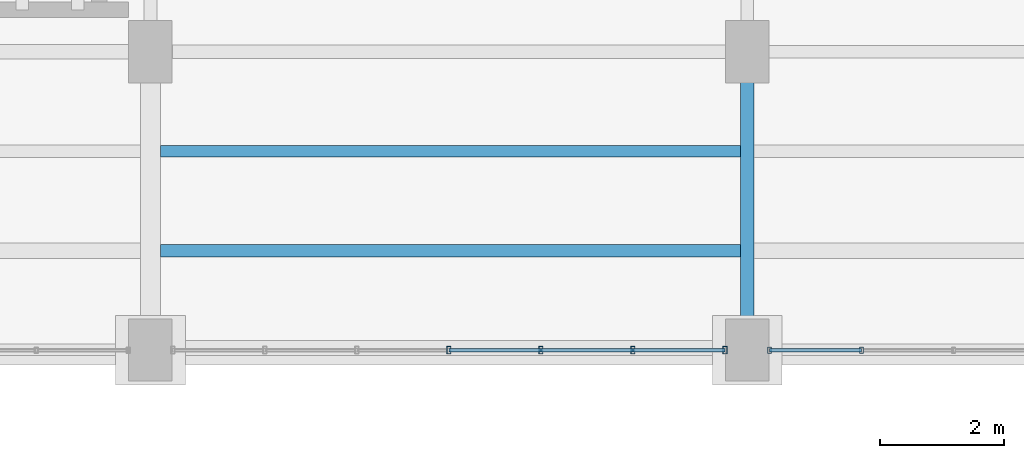
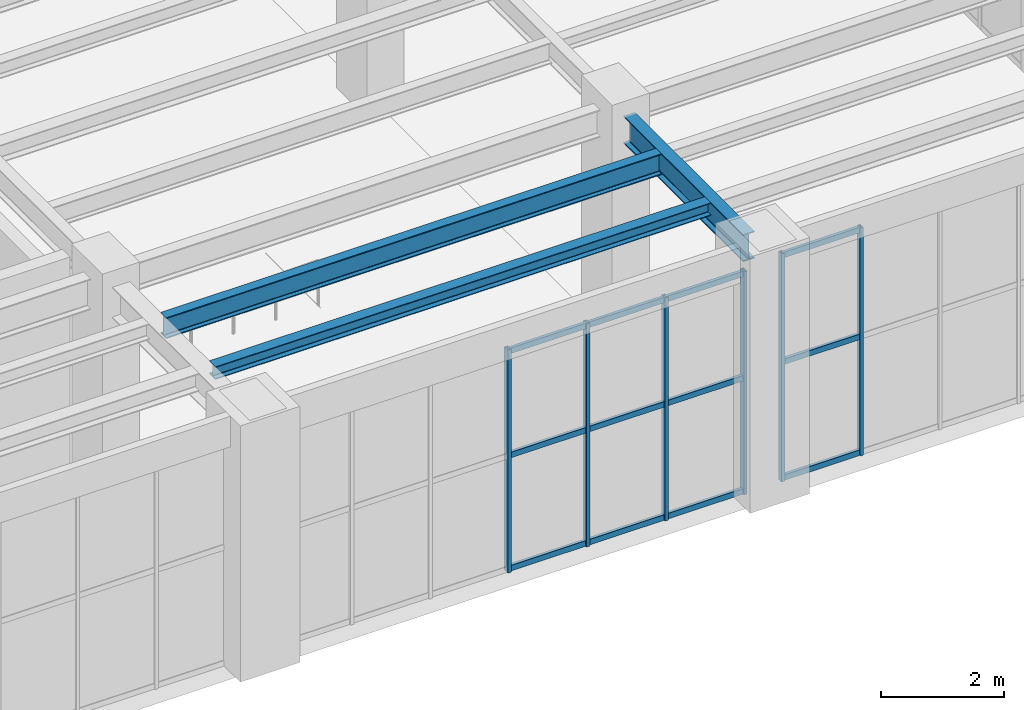
# One storey, part 102 of 174: 18 members, 3 beams, 2 elements without a shape of their own.
"""IFC4 building model written with IfcOpenShell, lengths in metres."""

from ifc_helpers import new_model, si_unit, direction, frame, origin, origin_2d, place, context, subcontext, project, spatial, hollow_rectangle, i_section, extrude, material, material_profile, profile_set, type_object, element, aggregate, save


model = new_model("IFC4")

# Units and contexts
model_context = context("Model", 3, precision=1e-05, world=origin(), true_north=direction((0.0, 1.0)))
body_context = subcontext(model_context, "Body", "Model", "MODEL_VIEW")
ifc_project = project(units=[si_unit("LENGTHUNIT", "METRE"), si_unit("AREAUNIT", "SQUARE_METRE"), si_unit("VOLUMEUNIT", "CUBIC_METRE"), si_unit("PLANEANGLEUNIT", "RADIAN"), si_unit("MASSUNIT", "GRAM", prefix="KILO")], contexts=[model_context])

# Site, building, storey
site_placement = place(None, origin())
site = spatial("IfcSite", under=ifc_project, at=site_placement, CompositionType="ELEMENT")
building_placement = place(site_placement, origin())
building = spatial("IfcBuilding", under=site, at=building_placement, Name="Mavantir Sound Aquarium", CompositionType="ELEMENT")
storey_placement = place(building_placement, frame((0.0, 0.0, 5.39990234375)))
storey = spatial("IfcBuildingStorey", under=building, at=storey_placement, Name="L01", CompositionType="ELEMENT", Elevation=5.39990234375)

# Beams
ifc_material_1 = material(Name="Structural Steel ASTM A992 Gr50", Category="steel")
ifc_material_profile_1 = material_profile(ifc_material_1, i_section(OverallWidth=0.202880859375, OverallDepth=0.251953125, WebThickness=0.008056640625, FlangeThickness=0.013427734375, FilletRadius=0.011962890625, at=origin_2d()), Name="W250X58")
ifc_profile_set_1 = profile_set([ifc_material_profile_1], Name="Structural Steel ASTM A992 Gr50")
beam_type_1 = type_object("IfcBeamType", Name="BM-W250X58-I", PredefinedType="JOIST", material=ifc_profile_set_1)
beam_1_placement = place(storey_placement, frame((156.162109375, 37.60009765625, 4.650146484375), z_axis=(1.0, 0.0, 0.0), x_axis=(0.0, 1.0, 0.0)))
element("IfcBeam", 1, at=beam_1_placement, inside=storey, type_object=beam_type_1, Name="L01 secondary floor joist SJ-25 732", PredefinedType="JOIST", context=body_context, shape_type="SweptSolid", body=[
    extrude(i_section(OverallWidth=0.202880859375, OverallDepth=0.251953125, WebThickness=0.008056640625, FlangeThickness=0.013427734375, FilletRadius=0.011962890625, at=origin_2d()), origin(), (0.0, 0.0, 1.0), 9.331787109375),
])
ifc_material_profile_2 = material_profile(ifc_material_1, i_section(OverallWidth=0.180908203125, OverallDepth=0.4169921875, WebThickness=0.010986328125, FlangeThickness=0.018310546875, FilletRadius=0.014892578125, at=origin_2d()), Name="W410X85")
ifc_profile_set_2 = profile_set([ifc_material_profile_2], Name="Structural Steel ASTM A992 Gr50")
beam_type_2 = type_object("IfcBeamType", Name="BM-W410X85-I", PredefinedType="JOIST", material=ifc_profile_set_2)
beam_2_placement = place(storey_placement, frame((156.162109375, 39.199951171875, 4.567626953125), z_axis=(1.0, 0.0, 0.0), x_axis=(0.0, 1.0, 0.0)))
element("IfcBeam", 2, at=beam_2_placement, inside=storey, type_object=beam_type_2, Name="L01 secondary floor joist SJ-41 733", PredefinedType="JOIST", context=body_context, shape_type="SweptSolid", body=[
    extrude(i_section(OverallWidth=0.180908203125, OverallDepth=0.4169921875, WebThickness=0.010986328125, FlangeThickness=0.018310546875, FilletRadius=0.014892578125, at=origin_2d()), origin(), (0.0, 0.0, 1.0), 9.331787109375),
])
ifc_material_profile_3 = material_profile(ifc_material_1, i_section(OverallWidth=0.2119140625, OverallDepth=0.5439453125, WebThickness=0.01318359375, FlangeThickness=0.021240234375, FilletRadius=0.01806640625, at=origin_2d()), Name="W530X123")
ifc_profile_set_3 = profile_set([ifc_material_profile_3], Name="Structural Steel ASTM A992 Gr50")
beam_type_3 = type_object("IfcBeamType", Name="BM-W530X123-I", PredefinedType="BEAM", material=ifc_profile_set_3)
beam_3_placement = place(storey_placement, frame((165.60009765625, 36.449951171875, 4.504150390625), z_axis=(0.0, 1.0, 0.0), x_axis=(-1.0, 0.0, 0.0)))
element("IfcBeam", 3, at=beam_3_placement, inside=storey, type_object=beam_type_3, Name="L01 primary girder SB-53 1346", PredefinedType="BEAM", context=body_context, shape_type="SweptSolid", body=[
    extrude(i_section(OverallWidth=0.2119140625, OverallDepth=0.5439453125, WebThickness=0.01318359375, FlangeThickness=0.021240234375, FilletRadius=0.01806640625, at=origin_2d()), origin(), (0.0, 0.0, 1.0), 3.900146484375),
])

# Curtain wall, members
ifc_material_2 = material(Name="Anodised Marine Aluminium and Low-E Glass", Category="aluminium")
curtain_wall_type_1 = type_object("IfcCurtainWallType", Name="CW-T07", PredefinedType="USERDEFINED", material=ifc_material_2)
curtain_wall_1_placement = place(storey_placement, origin())
curtain_wall_1 = element("IfcCurtainWall", 4, at=curtain_wall_1_placement, inside=storey, type_object=curtain_wall_type_1, Name="L01 unitised curtain wall CW-07 103", ObjectType="UNITISED GLAZING", PredefinedType="USERDEFINED")
ifc_material_3 = material(Name="Anodised Marine Aluminium 6063-T6", Category="aluminium")
ifc_material_profile_4 = material_profile(ifc_material_3, hollow_rectangle(XDim=0.06005859375, YDim=0.10009765625, WallThickness=0.00390625, at=origin_2d()), Name="ALU-MULLION-100X60")
ifc_profile_set_4 = profile_set([ifc_material_profile_4], Name="Anodised Marine Aluminium 6063-T6")
member_type_1 = type_object("IfcMemberType", Name="CW-MUL-100", PredefinedType="MULLION", material=ifc_profile_set_4)
member_1_placement = place(storey_placement, frame((165.9580078125, 36.0, 0.0), z_axis=(0.0, 0.0, 1.0), x_axis=(1.0, 0.0, 0.0)))
member_1 = element("IfcMember", 5, at=member_1_placement, type_object=member_type_1, Name="CW-L01-103 vertical mullion 1", PredefinedType="MULLION", context=body_context, shape_type="SweptSolid", body=[
    extrude(hollow_rectangle(XDim=0.06005859375, YDim=0.10009765625, WallThickness=0.00390625, at=origin_2d()), origin(), (0.0, 0.0, 1.0), 4.543212890625),
])
member_2_placement = place(storey_placement, frame((167.438720703125, 36.0, 0.0), z_axis=(0.0, 0.0, 1.0), x_axis=(1.0, 0.0, 0.0)))
member_2 = element("IfcMember", 6, at=member_2_placement, type_object=member_type_1, Name="CW-L01-103 vertical mullion 2", PredefinedType="MULLION", context=body_context, shape_type="SweptSolid", body=[
    extrude(hollow_rectangle(XDim=0.06005859375, YDim=0.10009765625, WallThickness=0.00390625, at=origin_2d()), origin(), (0.0, 0.0, 1.0), 4.543212890625),
])

curtain_wall_type_2 = type_object("IfcCurtainWallType", Name="CW-T06", PredefinedType="USERDEFINED", material=ifc_material_2)
curtain_wall_2_placement = place(storey_placement, origin())
curtain_wall_2 = element("IfcCurtainWall", 7, at=curtain_wall_2_placement, inside=storey, type_object=curtain_wall_type_2, Name="L01 unitised curtain wall CW-06 102", ObjectType="UNITISED GLAZING", PredefinedType="USERDEFINED")
ifc_material_profile_5 = material_profile(ifc_material_3, hollow_rectangle(XDim=0.06494140625, YDim=0.1201171875, WallThickness=0.00390625, at=origin_2d()), Name="ALU-MULLION-120X65")
ifc_profile_set_5 = profile_set([ifc_material_profile_5], Name="Anodised Marine Aluminium 6063-T6")
member_type_2 = type_object("IfcMemberType", Name="CW-MUL-120", PredefinedType="MULLION", material=ifc_profile_set_5)
member_3_placement = place(storey_placement, frame((160.800048828125, 36.0, 0.0), z_axis=(0.0, 0.0, 1.0), x_axis=(1.0, 0.0, 0.0)))
member_3 = element("IfcMember", 8, at=member_3_placement, type_object=member_type_2, Name="CW-L01-102 vertical mullion 4", PredefinedType="MULLION", context=body_context, shape_type="SweptSolid", body=[
    extrude(hollow_rectangle(XDim=0.06494140625, YDim=0.1201171875, WallThickness=0.00390625, at=origin_2d()), origin(), (0.0, 0.0, 1.0), 4.43798828125),
])
member_4_placement = place(storey_placement, frame((162.28076171875, 36.0, 0.0), z_axis=(0.0, 0.0, 1.0), x_axis=(1.0, 0.0, 0.0)))
member_4 = element("IfcMember", 9, at=member_4_placement, type_object=member_type_2, Name="CW-L01-102 vertical mullion 5", PredefinedType="MULLION", context=body_context, shape_type="SweptSolid", body=[
    extrude(hollow_rectangle(XDim=0.06494140625, YDim=0.1201171875, WallThickness=0.00390625, at=origin_2d()), origin(), (0.0, 0.0, 1.0), 4.43798828125),
])
member_5_placement = place(storey_placement, frame((163.76123046875, 36.0, 0.0), z_axis=(0.0, 0.0, 1.0), x_axis=(1.0, 0.0, 0.0)))
member_5 = element("IfcMember", 10, at=member_5_placement, type_object=member_type_2, Name="CW-L01-102 vertical mullion 6", PredefinedType="MULLION", context=body_context, shape_type="SweptSolid", body=[
    extrude(hollow_rectangle(XDim=0.06494140625, YDim=0.1201171875, WallThickness=0.00390625, at=origin_2d()), origin(), (0.0, 0.0, 1.0), 4.43798828125),
])
member_6_placement = place(storey_placement, frame((165.241943359375, 36.0, 0.0), z_axis=(0.0, 0.0, 1.0), x_axis=(1.0, 0.0, 0.0)))
member_6 = element("IfcMember", 11, at=member_6_placement, type_object=member_type_2, Name="CW-L01-102 vertical mullion 7", PredefinedType="MULLION", context=body_context, shape_type="SweptSolid", body=[
    extrude(hollow_rectangle(XDim=0.06494140625, YDim=0.1201171875, WallThickness=0.00390625, at=origin_2d()), origin(), (0.0, 0.0, 1.0), 4.43798828125),
])
ifc_material_profile_6 = material_profile(ifc_material_3, hollow_rectangle(XDim=0.06005859375, YDim=0.110107421875, WallThickness=0.00390625, at=origin_2d()), Name="ALU-TRANSOM-110X60")
ifc_profile_set_6 = profile_set([ifc_material_profile_6], Name="Anodised Marine Aluminium 6063-T6")
member_type_3 = type_object("IfcMemberType", Name="CW-TRN-110", PredefinedType="USERDEFINED", material=ifc_profile_set_6)
member_7_placement = place(storey_placement, frame((160.800048828125, 36.0, 0.05517578125), z_axis=(1.0, 0.0, 0.0), x_axis=(0.0, 1.0, 0.0)))
member_7 = element("IfcMember", 12, at=member_7_placement, type_object=member_type_3, Name="CW-L01-102 transom 4.1", ObjectType="TRANSOM", PredefinedType="USERDEFINED", context=body_context, shape_type="SweptSolid", body=[
    extrude(hollow_rectangle(XDim=0.06005859375, YDim=0.110107421875, WallThickness=0.00390625, at=origin_2d()), origin(), (0.0, 0.0, 1.0), 1.480712890625),
])
member_8_placement = place(storey_placement, frame((160.800048828125, 36.0, 2.307861328125), z_axis=(1.0, 0.0, 0.0), x_axis=(0.0, 1.0, 0.0)))
member_8 = element("IfcMember", 13, at=member_8_placement, type_object=member_type_3, Name="CW-L01-102 transom 4.2", ObjectType="TRANSOM", PredefinedType="USERDEFINED", context=body_context, shape_type="SweptSolid", body=[
    extrude(hollow_rectangle(XDim=0.06005859375, YDim=0.110107421875, WallThickness=0.00390625, at=origin_2d()), origin(), (0.0, 0.0, 1.0), 1.480712890625),
])
member_9_placement = place(storey_placement, frame((160.800048828125, 36.0, 4.383056640625), z_axis=(1.0, 0.0, 0.0), x_axis=(0.0, 1.0, 0.0)))
member_9 = element("IfcMember", 14, at=member_9_placement, type_object=member_type_3, Name="CW-L01-102 transom 4.3", ObjectType="TRANSOM", PredefinedType="USERDEFINED", context=body_context, shape_type="SweptSolid", body=[
    extrude(hollow_rectangle(XDim=0.06005859375, YDim=0.110107421875, WallThickness=0.00390625, at=origin_2d()), origin(), (0.0, 0.0, 1.0), 1.480712890625),
])
member_10_placement = place(storey_placement, frame((162.28076171875, 36.0, 0.05517578125), z_axis=(1.0, 0.0, 0.0), x_axis=(0.0, 1.0, 0.0)))
member_10 = element("IfcMember", 15, at=member_10_placement, type_object=member_type_3, Name="CW-L01-102 transom 5.1", ObjectType="TRANSOM", PredefinedType="USERDEFINED", context=body_context, shape_type="SweptSolid", body=[
    extrude(hollow_rectangle(XDim=0.06005859375, YDim=0.110107421875, WallThickness=0.00390625, at=origin_2d()), origin(), (0.0, 0.0, 1.0), 1.48046875),
])
member_11_placement = place(storey_placement, frame((162.28076171875, 36.0, 2.307861328125), z_axis=(1.0, 0.0, 0.0), x_axis=(0.0, 1.0, 0.0)))
member_11 = element("IfcMember", 16, at=member_11_placement, type_object=member_type_3, Name="CW-L01-102 transom 5.2", ObjectType="TRANSOM", PredefinedType="USERDEFINED", context=body_context, shape_type="SweptSolid", body=[
    extrude(hollow_rectangle(XDim=0.06005859375, YDim=0.110107421875, WallThickness=0.00390625, at=origin_2d()), origin(), (0.0, 0.0, 1.0), 1.48046875),
])
member_12_placement = place(storey_placement, frame((162.28076171875, 36.0, 4.383056640625), z_axis=(1.0, 0.0, 0.0), x_axis=(0.0, 1.0, 0.0)))
member_12 = element("IfcMember", 17, at=member_12_placement, type_object=member_type_3, Name="CW-L01-102 transom 5.3", ObjectType="TRANSOM", PredefinedType="USERDEFINED", context=body_context, shape_type="SweptSolid", body=[
    extrude(hollow_rectangle(XDim=0.06005859375, YDim=0.110107421875, WallThickness=0.00390625, at=origin_2d()), origin(), (0.0, 0.0, 1.0), 1.48046875),
])
member_13_placement = place(storey_placement, frame((163.76123046875, 36.0, 0.05517578125), z_axis=(1.0, 0.0, 0.0), x_axis=(0.0, 1.0, 0.0)))
member_13 = element("IfcMember", 18, at=member_13_placement, type_object=member_type_3, Name="CW-L01-102 transom 6.1", ObjectType="TRANSOM", PredefinedType="USERDEFINED", context=body_context, shape_type="SweptSolid", body=[
    extrude(hollow_rectangle(XDim=0.06005859375, YDim=0.110107421875, WallThickness=0.00390625, at=origin_2d()), origin(), (0.0, 0.0, 1.0), 1.480712890625),
])
member_14_placement = place(storey_placement, frame((163.76123046875, 36.0, 2.307861328125), z_axis=(1.0, 0.0, 0.0), x_axis=(0.0, 1.0, 0.0)))
member_14 = element("IfcMember", 19, at=member_14_placement, type_object=member_type_3, Name="CW-L01-102 transom 6.2", ObjectType="TRANSOM", PredefinedType="USERDEFINED", context=body_context, shape_type="SweptSolid", body=[
    extrude(hollow_rectangle(XDim=0.06005859375, YDim=0.110107421875, WallThickness=0.00390625, at=origin_2d()), origin(), (0.0, 0.0, 1.0), 1.480712890625),
])
member_15_placement = place(storey_placement, frame((163.76123046875, 36.0, 4.383056640625), z_axis=(1.0, 0.0, 0.0), x_axis=(0.0, 1.0, 0.0)))
member_15 = element("IfcMember", 20, at=member_15_placement, type_object=member_type_3, Name="CW-L01-102 transom 6.3", ObjectType="TRANSOM", PredefinedType="USERDEFINED", context=body_context, shape_type="SweptSolid", body=[
    extrude(hollow_rectangle(XDim=0.06005859375, YDim=0.110107421875, WallThickness=0.00390625, at=origin_2d()), origin(), (0.0, 0.0, 1.0), 1.480712890625),
])
aggregate(curtain_wall_2, [member_3, member_4, member_5, member_6, member_7, member_8, member_9, member_10, member_11, member_12, member_13, member_14, member_15])

# Member
member_16_placement = place(storey_placement, frame((165.9580078125, 36.0, 0.05517578125), z_axis=(1.0, 0.0, 0.0), x_axis=(0.0, 1.0, 0.0)))
member_16 = element("IfcMember", 21, at=member_16_placement, type_object=member_type_3, Name="CW-L01-103 transom 1.1", ObjectType="TRANSOM", PredefinedType="USERDEFINED", context=body_context, shape_type="SweptSolid", body=[
    extrude(hollow_rectangle(XDim=0.06005859375, YDim=0.110107421875, WallThickness=0.00390625, at=origin_2d()), origin(), (0.0, 0.0, 1.0), 1.480712890625),
])

member_17_placement = place(storey_placement, frame((165.9580078125, 36.0, 2.362548828125), z_axis=(1.0, 0.0, 0.0), x_axis=(0.0, 1.0, 0.0)))
member_17 = element("IfcMember", 22, at=member_17_placement, type_object=member_type_3, Name="CW-L01-103 transom 1.2", ObjectType="TRANSOM", PredefinedType="USERDEFINED", context=body_context, shape_type="SweptSolid", body=[
    extrude(hollow_rectangle(XDim=0.06005859375, YDim=0.110107421875, WallThickness=0.00390625, at=origin_2d()), origin(), (0.0, 0.0, 1.0), 1.480712890625),
])

member_18_placement = place(storey_placement, frame((165.9580078125, 36.0, 4.488037109375), z_axis=(1.0, 0.0, 0.0), x_axis=(0.0, 1.0, 0.0)))
member_18 = element("IfcMember", 23, at=member_18_placement, type_object=member_type_3, Name="CW-L01-103 transom 1.3", ObjectType="TRANSOM", PredefinedType="USERDEFINED", context=body_context, shape_type="SweptSolid", body=[
    extrude(hollow_rectangle(XDim=0.06005859375, YDim=0.110107421875, WallThickness=0.00390625, at=origin_2d()), origin(), (0.0, 0.0, 1.0), 1.480712890625),
])

aggregate(curtain_wall_1, [member_1, member_2, member_16, member_17, member_18])

save(model, "model.ifc")
